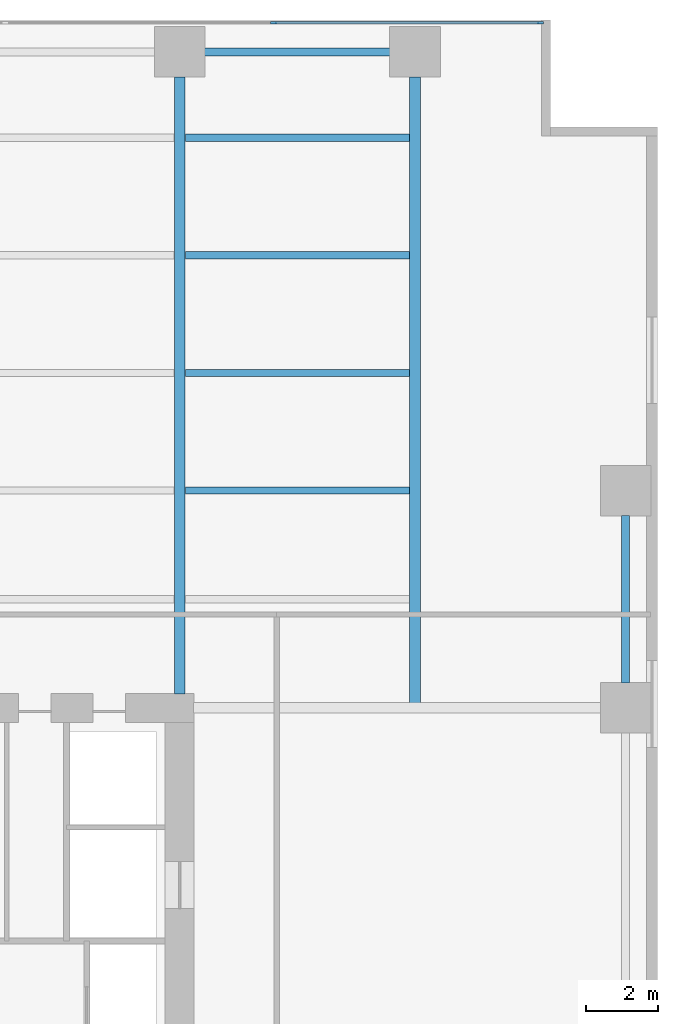
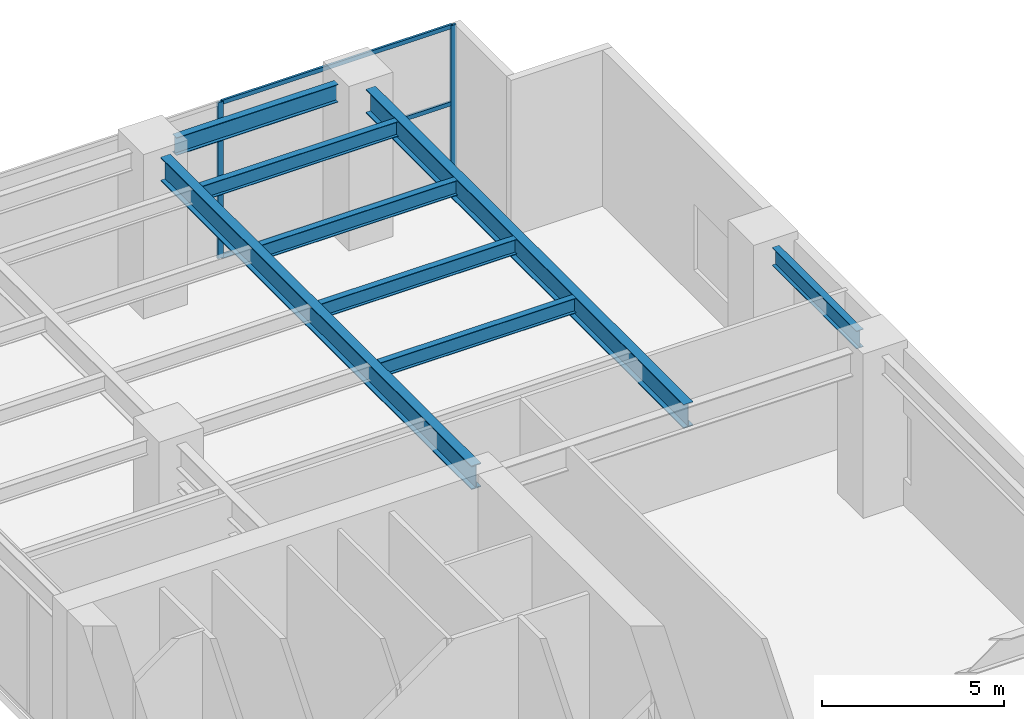
# One storey, part 9 of 18: 8 beams, 5 members, 1 element without a shape of its own.
"""IFC4 building model written with IfcOpenShell, lengths in metres."""

from ifc_helpers import new_model, si_unit, direction, frame, origin, origin_2d, place, context, subcontext, project, spatial, rectangle, i_section, extrude, material, layer, layer_set, material_profile, profile_set, type_object, element, aggregate, save


model = new_model("IFC4")

# Units and contexts
model_context = context("Model", 3, precision=1e-05, world=origin(), true_north=direction((0.0, 1.0)))
body_context = subcontext(model_context, "Body", "Model", "MODEL_VIEW")
ifc_project = project(units=[si_unit("LENGTHUNIT", "METRE"), si_unit("AREAUNIT", "SQUARE_METRE"), si_unit("VOLUMEUNIT", "CUBIC_METRE"), si_unit("PLANEANGLEUNIT", "RADIAN"), si_unit("MASSUNIT", "GRAM", prefix="KILO")], contexts=[model_context])

# Site, building, storey
site_placement = place(None, origin())
site = spatial("IfcSite", under=ifc_project, at=site_placement, CompositionType="ELEMENT")
building_placement = place(site_placement, origin())
building = spatial("IfcBuilding", under=site, at=building_placement, Name="Putna Gate Headquarters", CompositionType="ELEMENT")
storey_placement = place(building_placement, frame((0.0, 0.0, 11.5)))
storey = spatial("IfcBuildingStorey", under=building, at=storey_placement, Name="L02", CompositionType="ELEMENT", Elevation=11.5)

# Beams
ifc_material_1 = material(Name="Steel S355J2", Category="steel")
ifc_material_profile_1 = material_profile(ifc_material_1, i_section(OverallWidth=0.300048828125, OverallDepth=0.800048828125, WebThickness=0.017578125, FlangeThickness=0.032958984375, at=origin_2d()), Name="Steel S355J2")
ifc_profile_set_1 = profile_set([ifc_material_profile_1], Name="Steel S355J2")
beam_type_1 = type_object("IfcBeamType", Name="BM-GIRD-P-HEB800", PredefinedType="USERDEFINED", material=ifc_profile_set_1)
beam_1_placement = place(storey_placement, frame((65.0, 33.385009765625, 4.820068359375), z_axis=(0.0, 1.0, 0.0), x_axis=(-1.0, 0.0, 0.0)))
element("IfcBeam", 1, at=beam_1_placement, inside=storey, type_object=beam_type_1, Name="L02 North Primary Girder X65", ObjectType="GIRDER", PredefinedType="USERDEFINED", context=body_context, shape_type="SweptSolid", body=[
    extrude(i_section(OverallWidth=0.300048828125, OverallDepth=0.800048828125, WebThickness=0.017578125, FlangeThickness=0.032958984375, at=origin_2d()), origin(), (0.0, 0.0, 1.0), 17.046875),
])
beam_2_placement = place(storey_placement, frame((71.5, 33.011962890625, 4.820068359375), z_axis=(0.0, 1.0, 0.0), x_axis=(-1.0, 0.0, 0.0)))
element("IfcBeam", 2, at=beam_2_placement, inside=storey, type_object=beam_type_1, Name="L02 North Primary Girder X71", ObjectType="GIRDER", PredefinedType="USERDEFINED", context=body_context, shape_type="SweptSolid", body=[
    extrude(i_section(OverallWidth=0.300048828125, OverallDepth=0.800048828125, WebThickness=0.017578125, FlangeThickness=0.032958984375, at=origin_2d()), origin(), (0.0, 0.0, 1.0), 17.419921875),
])
ifc_material_profile_2 = material_profile(ifc_material_1, i_section(OverallWidth=0.199951171875, OverallDepth=0.5, WebThickness=0.01025390625, FlangeThickness=0.01611328125, at=origin_2d()), Name="Steel S355J2")
ifc_profile_set_2 = profile_set([ifc_material_profile_2], Name="Steel S355J2")
beam_type_2 = type_object("IfcBeamType", Name="BM-SEC-P-IPE500", PredefinedType="BEAM", material=ifc_profile_set_2)
for number, where, z_axis, x_axis, name in (
    (3, (65.154052734375, 39.0, 4.969970703125), (1.0, 0.0, 0.0), (0.0, 1.0, 0.0), "L02 North Secondary Beam 7"),
    (4, (65.154052734375, 42.25, 4.969970703125), (1.0, 0.0, 0.0), (0.0, 1.0, 0.0), "L02 North Secondary Beam 7"),
    (5, (65.154052734375, 45.5, 4.969970703125), (1.0, 0.0, 0.0), (0.0, 1.0, 0.0), "L02 North Secondary Beam 7"),
    (6, (65.154052734375, 48.75, 4.969970703125), (1.0, 0.0, 0.0), (0.0, 1.0, 0.0), "L02 North Secondary Beam 7"),
):
    element("IfcBeam", number, at=place(storey_placement, frame(where, z_axis=z_axis, x_axis=x_axis)), inside=storey, type_object=beam_type_2, Name=name, PredefinedType="BEAM", context=body_context, shape_type="SweptSolid", body=[
        extrude(i_section(OverallWidth=0.199951171875, OverallDepth=0.5, WebThickness=0.01025390625, FlangeThickness=0.01611328125, at=origin_2d()), origin(), (0.0, 0.0, 1.0), 6.19189453125),
    ])
ifc_material_profile_3 = material_profile(ifc_material_1, i_section(OverallWidth=0.219970703125, OverallDepth=0.60009765625, WebThickness=0.011962890625, FlangeThickness=0.01904296875, at=origin_2d()), Name="Steel S355J2")
ifc_profile_set_3 = profile_set([ifc_material_profile_3], Name="Steel S355J2")
beam_type_3 = type_object("IfcBeamType", Name="BM-SPAN-P-IPE600", PredefinedType="SPANDREL", material=ifc_profile_set_3)
beam_3_placement = place(storey_placement, frame((65.68798828125, 51.1201171875, 4.919921875), z_axis=(1.0, 0.0, 0.0), x_axis=(0.0, 1.0, 0.0)))
element("IfcBeam", 7, at=beam_3_placement, inside=storey, type_object=beam_type_3, Name="L02 N Perimeter Spandrel 7", PredefinedType="SPANDREL", context=body_context, shape_type="SweptSolid", body=[
    extrude(i_section(OverallWidth=0.219970703125, OverallDepth=0.60009765625, WebThickness=0.011962890625, FlangeThickness=0.01904296875, at=origin_2d()), origin(), (0.0, 0.0, 1.0), 5.1240234375),
])
beam_4_placement = place(storey_placement, frame((77.320068359375, 33.68798828125, 4.919921875), z_axis=(0.0, 1.0, 0.0), x_axis=(-1.0, 0.0, 0.0)))
element("IfcBeam", 8, at=beam_4_placement, inside=storey, type_object=beam_type_3, Name="L02 E End Spandrel 3", PredefinedType="SPANDREL", context=body_context, shape_type="SweptSolid", body=[
    extrude(i_section(OverallWidth=0.219970703125, OverallDepth=0.60009765625, WebThickness=0.011962890625, FlangeThickness=0.01904296875, at=origin_2d()), origin(), (0.0, 0.0, 1.0), 4.6240234375),
])

# Curtain wall, members
ifc_material_2 = material(Name="Anodised bronze aluminium curtain wall", Category="aluminium")
ifc_layer = layer(ifc_material_2, 0.179931640625)
ifc_layer_set = layer_set([ifc_layer], Name="Anodised bronze aluminium curtain wall")
curtain_wall_type = type_object("IfcCurtainWallType", Name="CW-SYS-POD", PredefinedType="USERDEFINED", material=ifc_layer_set)
curtain_wall_placement = place(storey_placement, origin())
curtain_wall = element("IfcCurtainWall", 9, at=curtain_wall_placement, inside=storey, type_object=curtain_wall_type, Name="L02 North East Curtain Wall", ObjectType="STICK CURTAIN WALL", PredefinedType="USERDEFINED")
ifc_material_3 = material(Name="Anodised bronze aluminium EN AW-6060", Category="aluminium")
ifc_material_profile_4 = material_profile(ifc_material_3, rectangle(XDim=0.070068359375, YDim=0.179931640625, at=origin_2d()), Name="Anodised bronze aluminium EN AW-6060")
ifc_profile_set_4 = profile_set([ifc_material_profile_4], Name="Anodised bronze aluminium EN AW-6060")
member_type_1 = type_object("IfcMemberType", Name="MULL-CWM-P", PredefinedType="MULLION", material=ifc_profile_set_4)
member_1_placement = place(storey_placement, frame((67.59326171875, 51.919921875, 0.0), z_axis=(0.0, 0.0, 1.0), x_axis=(0.0, 1.0, 0.0)))
member_1 = element("IfcMember", 10, at=member_1_placement, type_object=member_type_1, Name="CWS-P mullion 3", PredefinedType="MULLION", context=body_context, shape_type="SweptSolid", body=[
    extrude(rectangle(XDim=0.070068359375, YDim=0.179931640625, at=origin_2d()), origin(), (0.0, 0.0, 1.0), 5.219970703125),
])
member_2_placement = place(storey_placement, frame((74.965087890625, 51.919921875, 0.0), z_axis=(0.0, 0.0, 1.0), x_axis=(0.0, 1.0, 0.0)))
member_2 = element("IfcMember", 11, at=member_2_placement, type_object=member_type_1, Name="CWS-P mullion 4", PredefinedType="MULLION", context=body_context, shape_type="SweptSolid", body=[
    extrude(rectangle(XDim=0.070068359375, YDim=0.179931640625, at=origin_2d()), origin(), (0.0, 0.0, 1.0), 5.219970703125),
])
ifc_material_profile_5 = material_profile(ifc_material_3, rectangle(XDim=0.070068359375, YDim=0.139892578125, at=origin_2d()), Name="Anodised bronze aluminium EN AW-6060")
ifc_profile_set_5 = profile_set([ifc_material_profile_5], Name="Anodised bronze aluminium EN AW-6060")
member_type_2 = type_object("IfcMemberType", Name="TRAN-CWT-P", PredefinedType="USERDEFINED", material=ifc_profile_set_5)
member_3_placement = place(storey_placement, frame((67.62841796875, 51.919921875, 0.034912109375), z_axis=(1.0, 0.0, 0.0), x_axis=(0.0, 1.0, 0.0)))
member_3 = element("IfcMember", 12, at=member_3_placement, type_object=member_type_2, Name="CWS-P transom 3.1", ObjectType="TRANSOM", PredefinedType="USERDEFINED", context=body_context, shape_type="SweptSolid", body=[
    extrude(rectangle(XDim=0.070068359375, YDim=0.139892578125, at=origin_2d()), origin(), (0.0, 0.0, 1.0), 7.301513671875),
])
member_4_placement = place(storey_placement, frame((67.62841796875, 51.919921875, 2.610107421875), z_axis=(1.0, 0.0, 0.0), x_axis=(0.0, 1.0, 0.0)))
member_4 = element("IfcMember", 13, at=member_4_placement, type_object=member_type_2, Name="CWS-P transom 3.2", ObjectType="TRANSOM", PredefinedType="USERDEFINED", context=body_context, shape_type="SweptSolid", body=[
    extrude(rectangle(XDim=0.070068359375, YDim=0.139892578125, at=origin_2d()), origin(), (0.0, 0.0, 1.0), 7.301513671875),
])
member_5_placement = place(storey_placement, frame((67.62841796875, 51.919921875, 5.18505859375), z_axis=(1.0, 0.0, 0.0), x_axis=(0.0, 1.0, 0.0)))
member_5 = element("IfcMember", 14, at=member_5_placement, type_object=member_type_2, Name="CWS-P transom 3.3", ObjectType="TRANSOM", PredefinedType="USERDEFINED", context=body_context, shape_type="SweptSolid", body=[
    extrude(rectangle(XDim=0.070068359375, YDim=0.139892578125, at=origin_2d()), origin(), (0.0, 0.0, 1.0), 7.301513671875),
])
aggregate(curtain_wall, [member_1, member_2, member_3, member_4, member_5])

save(model, "model.ifc")
